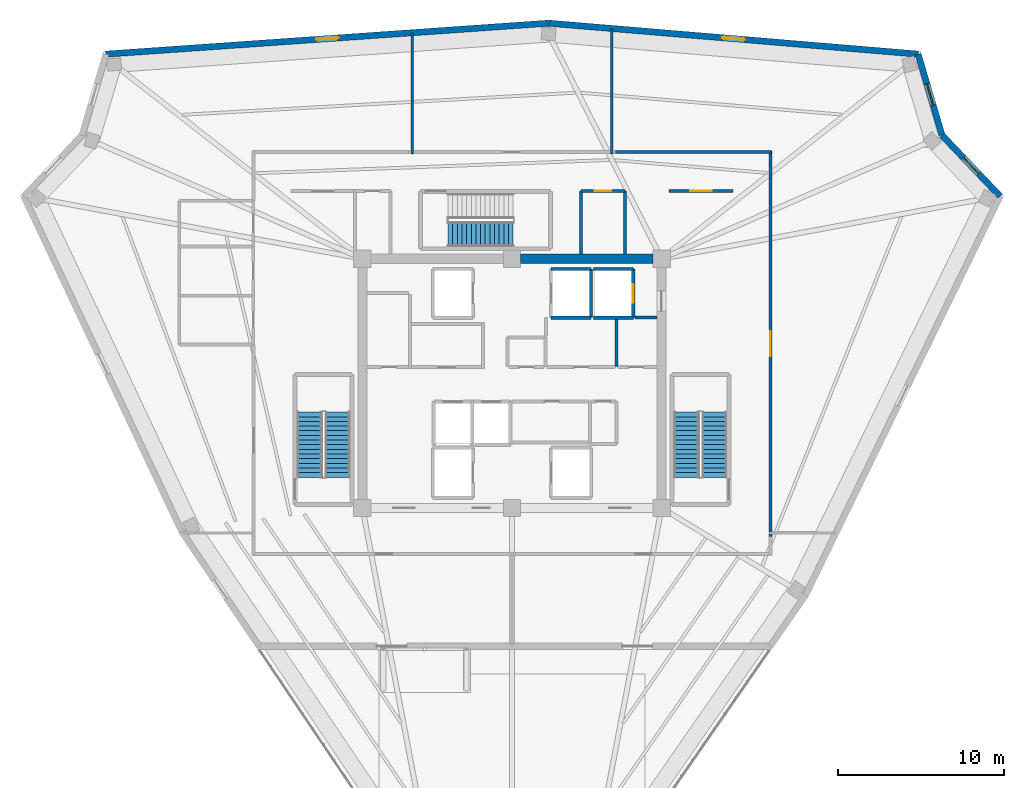
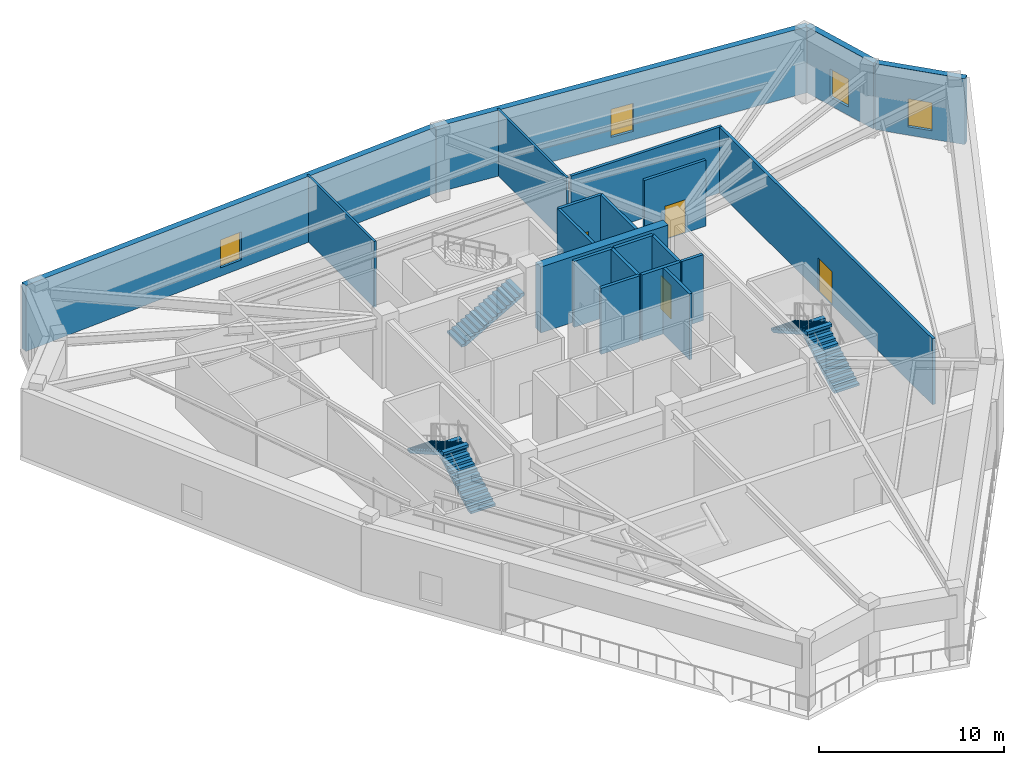
# One storey, part 7 of 12: 21 walls, 5 stair flights, 4 doors, 4 windows, 8 openings, 3 elements without a shape of their own.
"""IFC4 building model written with IfcOpenShell, lengths in metres."""

from ifc_helpers import new_model, si_unit, direction, frame, frame_2d, origin, place, context, subcontext, project, spatial, polyline, rectangle, outline, extrude, source, transform, mapped, material, layer, layer_set, type_object, element, fill, aggregate, save


model = new_model("IFC4")

# Units and contexts
model_context = context("Model", 3, precision=1e-05, world=origin(), true_north=direction((0.0, 1.0)))
body_context = subcontext(model_context, "Body", "Model", "MODEL_VIEW")
ifc_project = project(units=[si_unit("LENGTHUNIT", "METRE"), si_unit("AREAUNIT", "SQUARE_METRE"), si_unit("VOLUMEUNIT", "CUBIC_METRE"), si_unit("PLANEANGLEUNIT", "RADIAN"), si_unit("MASSUNIT", "GRAM", prefix="KILO")], contexts=[model_context])

# Site, building, storey
site_placement = place(None, origin())
site = spatial("IfcSite", under=ifc_project, at=site_placement, CompositionType="ELEMENT")
building_placement = place(site_placement, origin())
building = spatial("IfcBuilding", under=site, at=building_placement, Name="Liaohun Quay Tower", CompositionType="ELEMENT")
storey_placement = place(building_placement, frame((0.0, 0.0, 355.800048828125)))
storey = spatial("IfcBuildingStorey", under=building, at=storey_placement, Name="L92", CompositionType="ELEMENT", Elevation=355.800048828125)

# Wall
ifc_material_1 = material(Name="Concrete C50", Category="concrete")
ifc_layer_1 = layer(ifc_material_1, 0.550048828125, Name="Concrete C50", Category="concrete")
ifc_layer_set_1 = layer_set([ifc_layer_1], Name="Concrete C50")
wall_type_1 = type_object("IfcWallType", Name="WAL-COR-Z4", PredefinedType="SHEAR", material=ifc_layer_set_1)
wall_1_placement = place(storey_placement, frame((60.52490234375, 61.5, 0.0), z_axis=(0.0, 0.0, 1.0), x_axis=(1.0, 0.0, 0.0)))
element("IfcWall", 1, at=wall_1_placement, inside=storey, type_object=wall_type_1, Name="L92 Central Core Shear Wall N-E", PredefinedType="SHEAR", context=body_context, shape_type="SweptSolid", body=[
    extrude(rectangle(XDim=7.9501953125, YDim=0.550048828125, at=frame_2d((3.97509765625, 0.0))), origin(), (0.0, 0.0, 1.0), 4.349853515625),
])

# Wall, opening, window
ifc_material_2 = material(Name="Precast concrete C50 insulated sandwich", Category="concrete")
ifc_layer_2 = layer(ifc_material_2, 0.3798828125, Name="Precast concrete C50 insulated sandwich", Category="concrete")
ifc_layer_set_2 = layer_set([ifc_layer_2], Name="Precast concrete C50 insulated sandwich")
wall_type_2 = type_object("IfcWallType", Name="WAL-EXT-Z34", PredefinedType="SOLIDWALL", material=ifc_layer_set_2)
wall_2_placement = place(storey_placement, frame((89.376953125, 65.260009765625, 0.0), z_axis=(0.0, 0.0, 1.0), x_axis=(-0.68936702272, 0.724412250025, 0.0)))
wall_2 = element("IfcWall", 2, at=wall_2_placement, inside=storey, type_object=wall_type_2, Name="L92 Sky Belvedere Exterior Wall 03", PredefinedType="SOLIDWALL", context=body_context, shape_type="SweptSolid", body=[
    extrude(rectangle(XDim=5.07861328125, YDim=0.3798828125, at=frame_2d((2.539306640625, 0.0))), origin(), (0.0, 0.0, 1.0), 4.349853515625),
])
shared_shape_1 = source(origin(), body_context, "Body", "SweptSolid", [
    extrude(rectangle(XDim=1.35009765625, YDim=1.85009765625, at=frame_2d((0.675048828125, 0.925048828125))), frame((0.0, 0.199951171875, 0.0), z_axis=(0.0, -1.0, 0.0), x_axis=(1.0, 0.0, 0.0)), (0.0, 0.0, 1.0), 0.39990234375),
])
opening_1_placement = place(wall_2_placement, frame((1.864013671875, 0.0, 0.550048828125)))
opening_1 = element("IfcOpeningElement", 3, at=opening_1_placement, cuts=wall_2, Name="Opening W04", PredefinedType="OPENING", context=body_context, shape_type="MappedRepresentation", body=[
    mapped(shared_shape_1, transform((0.0, 0.0, 0.0), x_axis=(1.0, 0.0, 0.0), y_axis=(0.0, 1.0, 0.0), z_axis=(0.0, 0.0, 1.0), scale=1.0)),
])
ifc_material_3 = material(Name="Triple Low-E argon glazing in thermally broken aluminium", Category="aluminium")
window_type = type_object("IfcWindowType", Name="WIN-PUN-Z4", PartitioningType="SINGLE_PANEL", PredefinedType="WINDOW", material=ifc_material_3)
shared_shape_2 = source(origin(), body_context, "Body", "SweptSolid", [
    extrude(rectangle(XDim=1.35009765625, YDim=1.85009765625, at=frame_2d((0.675048828125, 0.925048828125))), frame((0.0, 0.030029296875, 0.0), z_axis=(0.0, -1.0, 0.0), x_axis=(1.0, 0.0, 0.0)), (0.0, 0.0, 1.0), 0.06005859375),
])
window_1_placement = place(opening_1_placement, origin())
window_1 = element("IfcWindow", 4, at=window_1_placement, inside=storey, type_object=window_type, Name="L92 Observatory Window W04-03", OverallHeight=1.85009765625, OverallWidth=1.35009765625, PartitioningType="SINGLE_PANEL", PredefinedType="WINDOW", context=body_context, shape_type="MappedRepresentation", body=[
    mapped(shared_shape_2, transform((0.0, 0.0, 0.0), x_axis=(1.0, 0.0, 0.0), y_axis=(0.0, 1.0, 0.0), z_axis=(0.0, 0.0, 1.0), scale=1.0)),
])
fill(opening_1, window_1)

wall_3_placement = place(storey_placement, frame((85.8759765625, 68.93896484375, 0.0), z_axis=(0.0, 0.0, 1.0), x_axis=(-0.282566830418, 0.959247614721, 0.0)))
wall_3 = element("IfcWall", 5, at=wall_3_placement, inside=storey, type_object=wall_type_2, Name="L92 Sky Belvedere Exterior Wall 04", PredefinedType="SOLIDWALL", context=body_context, shape_type="SweptSolid", body=[
    extrude(rectangle(XDim=5.08203125, YDim=0.3798828125, at=frame_2d((2.541015625, 0.0))), origin(), (0.0, 0.0, 1.0), 4.349853515625),
])
opening_2_placement = place(wall_3_placement, frame((1.865966796875, 0.0, 0.550048828125)))
opening_2 = element("IfcOpeningElement", 6, at=opening_2_placement, cuts=wall_3, Name="Opening W04", PredefinedType="OPENING", context=body_context, shape_type="MappedRepresentation", body=[
    mapped(shared_shape_1, transform((0.0, 0.0, 0.0), x_axis=(1.0, 0.0, 0.0), y_axis=(0.0, 1.0, 0.0), z_axis=(0.0, 0.0, 1.0), scale=1.0)),
])
window_2_placement = place(opening_2_placement, origin())
window_2 = element("IfcWindow", 7, at=window_2_placement, inside=storey, type_object=window_type, Name="L92 Observatory Window W04-04", OverallHeight=1.85009765625, OverallWidth=1.35009765625, PartitioningType="SINGLE_PANEL", PredefinedType="WINDOW", context=body_context, shape_type="MappedRepresentation", body=[
    mapped(shared_shape_2, transform((0.0, 0.0, 0.0), x_axis=(1.0, 0.0, 0.0), y_axis=(0.0, 1.0, 0.0), z_axis=(0.0, 0.0, 1.0), scale=1.0)),
])
fill(opening_2, window_2)

wall_4_placement = place(storey_placement, frame((84.43994140625, 73.81396484375, 0.0), z_axis=(0.0, 0.0, 1.0), x_axis=(-0.996516863227, 0.0833914942, 0.0)))
wall_4 = element("IfcWall", 8, at=wall_4_placement, inside=storey, type_object=wall_type_2, Name="L92 Sky Belvedere Exterior Wall 05", PredefinedType="SOLIDWALL", context=body_context, shape_type="SweptSolid", body=[
    extrude(rectangle(XDim=22.3056640625, YDim=0.3798828125, at=frame_2d((11.15283203125, 0.0))), origin(), (0.0, 0.0, 1.0), 4.349853515625),
])
opening_3_placement = place(wall_4_placement, frame((10.47802734375, 0.0, 0.550048828125)))
opening_3 = element("IfcOpeningElement", 9, at=opening_3_placement, cuts=wall_4, Name="Opening W04", PredefinedType="OPENING", context=body_context, shape_type="MappedRepresentation", body=[
    mapped(shared_shape_1, transform((0.0, 0.0, 0.0), x_axis=(1.0, 0.0, 0.0), y_axis=(0.0, 1.0, 0.0), z_axis=(0.0, 0.0, 1.0), scale=1.0)),
])
window_3_placement = place(opening_3_placement, origin())
window_3 = element("IfcWindow", 10, at=window_3_placement, inside=storey, type_object=window_type, Name="L92 Observatory Window W04-05", OverallHeight=1.85009765625, OverallWidth=1.35009765625, PartitioningType="SINGLE_PANEL", PredefinedType="WINDOW", context=body_context, shape_type="MappedRepresentation", body=[
    mapped(shared_shape_2, transform((0.0, 0.0, 0.0), x_axis=(1.0, 0.0, 0.0), y_axis=(0.0, 1.0, 0.0), z_axis=(0.0, 0.0, 1.0), scale=1.0)),
])
fill(opening_3, window_3)

wall_5_placement = place(storey_placement, frame((62.2119140625, 75.674072265625, 0.0), z_axis=(0.0, 0.0, 1.0), x_axis=(-0.997568264598, -0.069696179709, 0.0)))
wall_5 = element("IfcWall", 11, at=wall_5_placement, inside=storey, type_object=wall_type_2, Name="L92 Sky Belvedere Exterior Wall 06", PredefinedType="SOLIDWALL", context=body_context, shape_type="SweptSolid", body=[
    extrude(rectangle(XDim=26.716796875, YDim=0.3798828125, at=frame_2d((13.3583984375, 0.0))), origin(), (0.0, 0.0, 1.0), 4.349853515625),
])
opening_4_placement = place(wall_5_placement, frame((12.68310546875, 0.0, 0.550048828125)))
opening_4 = element("IfcOpeningElement", 12, at=opening_4_placement, cuts=wall_5, Name="Opening W04", PredefinedType="OPENING", context=body_context, shape_type="MappedRepresentation", body=[
    mapped(shared_shape_1, transform((0.0, 0.0, 0.0), x_axis=(1.0, 0.0, 0.0), y_axis=(0.0, 1.0, 0.0), z_axis=(0.0, 0.0, 1.0), scale=1.0)),
])
window_4_placement = place(opening_4_placement, origin())
window_4 = element("IfcWindow", 13, at=window_4_placement, inside=storey, type_object=window_type, Name="L92 Observatory Window W04-06", OverallHeight=1.85009765625, OverallWidth=1.35009765625, PartitioningType="SINGLE_PANEL", PredefinedType="WINDOW", context=body_context, shape_type="MappedRepresentation", body=[
    mapped(shared_shape_2, transform((0.0, 0.0, 0.0), x_axis=(1.0, 0.0, 0.0), y_axis=(0.0, 1.0, 0.0), z_axis=(0.0, 0.0, 1.0), scale=1.0)),
])
fill(opening_4, window_4)

# Wall, opening, door
ifc_material_4 = material(Name="Autoclaved aerated concrete blockwork", Category="masonry")
ifc_layer_3 = layer(ifc_material_4, 0.179931640625, Name="Autoclaved aerated concrete blockwork", Category="masonry")
ifc_layer_set_3 = layer_set([ifc_layer_3], Name="Autoclaved aerated concrete blockwork")
wall_type_3 = type_object("IfcWallType", Name="WAL-PRT-COR", PredefinedType="PARTITIONING", material=ifc_layer_set_3)
wall_6_placement = place(storey_placement, frame((64.139892578125, 65.580078125, 0.0), z_axis=(0.0, 0.0, 1.0), x_axis=(1.0, 0.0, 0.0)))
wall_6 = element("IfcWall", 14, at=wall_6_placement, inside=storey, type_object=wall_type_3, Name="L92 Interior Partition Wall 012", PredefinedType="PARTITIONING", context=body_context, shape_type="SweptSolid", body=[
    extrude(rectangle(XDim=2.670166015625, YDim=0.179931640625, at=frame_2d((1.3349609375, 0.0))), origin(), (0.0, 0.0, 1.0), 4.349853515625),
])
shared_shape_3 = source(origin(), body_context, "Body", "SweptSolid", [
    extrude(rectangle(XDim=1.0, YDim=2.199951171875, at=frame_2d((0.5, 1.10009765625))), frame((0.0, 0.099853515625, 0.0), z_axis=(0.0, -1.0, 0.0), x_axis=(1.0, 0.0, 0.0)), (0.0, 0.0, 1.0), 0.199951171875),
])
opening_5_placement = place(wall_6_placement, frame((0.8349609375, 0.0, 0.0)))
opening_5 = element("IfcOpeningElement", 15, at=opening_5_placement, cuts=wall_6, Name="Opening OD1", PredefinedType="OPENING", context=body_context, shape_type="MappedRepresentation", body=[
    mapped(shared_shape_3, transform((0.0, 0.0, 0.0), x_axis=(1.0, 0.0, 0.0), y_axis=(0.0, 1.0, 0.0), z_axis=(0.0, 0.0, 1.0), scale=1.0)),
])
ifc_material_5 = material(Name="Solid-core oak veneer timber leaf in steel frame", Category="steel")
door_type_1 = type_object("IfcDoorType", Name="DOR-OFF-1000", OperationType="NOTDEFINED", PredefinedType="DOOR", material=ifc_material_5)
shared_shape_4 = source(origin(), body_context, "Body", "SweptSolid", [
    extrude(rectangle(XDim=1.0, YDim=2.199951171875, at=frame_2d((0.5, 1.10009765625))), frame((0.0, 0.02490234375, 0.0), z_axis=(0.0, -1.0, 0.0), x_axis=(1.0, 0.0, 0.0)), (0.0, 0.0, 1.0), 0.050048828125),
])
door_1_placement = place(opening_5_placement, origin())
door_1 = element("IfcDoor", 16, at=door_1_placement, inside=storey, type_object=door_type_1, Name="L92 North-East Server Closet Door", OperationType="SINGLE_SWING_RIGHT", OverallHeight=2.199951171875, OverallWidth=1.0, PredefinedType="DOOR", context=body_context, shape_type="MappedRepresentation", body=[
    mapped(shared_shape_4, transform((0.0, 0.0, 0.0), x_axis=(1.0, 0.0, 0.0), y_axis=(0.0, 1.0, 0.0), z_axis=(0.0, 0.0, 1.0), scale=1.0)),
])
fill(opening_5, door_1)

wall_7_placement = place(storey_placement, frame((69.4599609375, 65.580078125, 0.0), z_axis=(0.0, 0.0, 1.0), x_axis=(1.0, 0.0, 0.0)))
wall_7 = element("IfcWall", 17, at=wall_7_placement, inside=storey, type_object=wall_type_3, Name="L92 Interior Partition Wall 014", PredefinedType="PARTITIONING", context=body_context, shape_type="SweptSolid", body=[
    extrude(rectangle(XDim=3.840087890625, YDim=0.179931640625, at=frame_2d((1.919921875, 0.0))), origin(), (0.0, 0.0, 1.0), 4.349853515625),
])
shared_shape_5 = source(origin(), body_context, "Body", "SweptSolid", [
    extrude(rectangle(XDim=1.300048828125, YDim=2.199951171875, at=frame_2d((0.64990234375, 1.10009765625))), frame((0.0, 0.099853515625, 0.0), z_axis=(0.0, -1.0, 0.0), x_axis=(1.0, 0.0, 0.0)), (0.0, 0.0, 1.0), 0.199951171875),
])
opening_6_placement = place(wall_7_placement, frame((1.27001953125, 0.0, 0.0)))
opening_6 = element("IfcOpeningElement", 18, at=opening_6_placement, cuts=wall_7, Name="Opening FD1", PredefinedType="OPENING", context=body_context, shape_type="MappedRepresentation", body=[
    mapped(shared_shape_5, transform((0.0, 0.0, 0.0), x_axis=(1.0, 0.0, 0.0), y_axis=(0.0, 1.0, 0.0), z_axis=(0.0, 0.0, 1.0), scale=1.0)),
])
ifc_material_6 = material(Name="Galvanised steel smokeproof fire door", Category="steel")
door_type_2 = type_object("IfcDoorType", Name="DOR-FFL-1300", OperationType="NOTDEFINED", PredefinedType="DOOR", material=ifc_material_6)
shared_shape_6 = source(origin(), body_context, "Body", "SweptSolid", [
    extrude(rectangle(XDim=1.300048828125, YDim=2.199951171875, at=frame_2d((0.64990234375, 1.10009765625))), frame((0.0, 0.02490234375, 0.0), z_axis=(0.0, -1.0, 0.0), x_axis=(1.0, 0.0, 0.0)), (0.0, 0.0, 1.0), 0.050048828125),
])
door_2_placement = place(opening_6_placement, origin())
door_2 = element("IfcDoor", 19, at=door_2_placement, inside=storey, type_object=door_type_2, Name="L92 East Core Vestibule Door", OperationType="SINGLE_SWING_RIGHT", OverallHeight=2.199951171875, OverallWidth=1.300048828125, PredefinedType="DOOR", context=body_context, shape_type="MappedRepresentation", body=[
    mapped(shared_shape_6, transform((0.0, 0.0, 0.0), x_axis=(1.0, 0.0, 0.0), y_axis=(0.0, 1.0, 0.0), z_axis=(0.0, 0.0, 1.0), scale=1.0)),
])
fill(opening_6, door_2)

wall_8_placement = place(storey_placement, frame((75.56005859375, 67.97998046875, 0.0), z_axis=(0.0, 0.0, 1.0), x_axis=(0.0, -1.0, 0.0)))
wall_8 = element("IfcWall", 20, at=wall_8_placement, inside=storey, type_object=wall_type_3, Name="L92 Interior Partition Wall 015", PredefinedType="PARTITIONING", context=body_context, shape_type="SweptSolid", body=[
    extrude(rectangle(XDim=23.195068359375, YDim=0.179931640625, at=frame_2d((11.59765625, 0.0))), origin(), (0.0, 0.0, 1.0), 4.349853515625),
])
shared_shape_7 = source(origin(), body_context, "Body", "SweptSolid", [
    extrude(rectangle(XDim=1.5, YDim=2.199951171875, at=frame_2d((0.75, 1.10009765625))), frame((0.0, 0.099853515625, 0.0), z_axis=(0.0, -1.0, 0.0), x_axis=(1.0, 0.0, 0.0)), (0.0, 0.0, 1.0), 0.199951171875),
])
opening_7_placement = place(wall_8_placement, frame((10.847900390625, 0.0, 0.0)))
opening_7 = element("IfcOpeningElement", 21, at=opening_7_placement, cuts=wall_8, Name="Opening OD2", PredefinedType="OPENING", context=body_context, shape_type="MappedRepresentation", body=[
    mapped(shared_shape_7, transform((0.0, 0.0, 0.0), x_axis=(1.0, 0.0, 0.0), y_axis=(0.0, 1.0, 0.0), z_axis=(0.0, 0.0, 1.0), scale=1.0)),
])
ifc_material_7 = material(Name="Acoustic oak veneer double door")
door_type_3 = type_object("IfcDoorType", Name="DOR-OFF-1500", OperationType="DOUBLE_DOOR_SINGLE_SWING", PredefinedType="DOOR", material=ifc_material_7)
shared_shape_8 = source(origin(), body_context, "Body", "SweptSolid", [
    extrude(rectangle(XDim=1.5, YDim=2.199951171875, at=frame_2d((0.75, 1.10009765625))), frame((0.0, 0.02490234375, 0.0), z_axis=(0.0, -1.0, 0.0), x_axis=(1.0, 0.0, 0.0)), (0.0, 0.0, 1.0), 0.050048828125),
])
door_3_placement = place(opening_7_placement, origin())
door_3 = element("IfcDoor", 22, at=door_3_placement, inside=storey, type_object=door_type_3, Name="L92 Lookout Pavilion Reception Foyer 01 Door", OperationType="DOUBLE_DOOR_SINGLE_SWING", OverallHeight=2.199951171875, OverallWidth=1.5, PredefinedType="DOOR", context=body_context, shape_type="MappedRepresentation", body=[
    mapped(shared_shape_8, transform((0.0, 0.0, 0.0), x_axis=(1.0, 0.0, 0.0), y_axis=(0.0, 1.0, 0.0), z_axis=(0.0, 0.0, 1.0), scale=1.0)),
])
fill(opening_7, door_3)

# Walls
wall_9_placement = place(storey_placement, frame((66.300048828125, 55.02001953125, 0.0), z_axis=(0.0, 0.0, 1.0), x_axis=(0.0, 1.0, 0.0)))
element("IfcWall", 23, at=wall_9_placement, inside=storey, type_object=wall_type_3, Name="L92 Interior Partition Wall 021", PredefinedType="PARTITIONING", context=body_context, shape_type="SweptSolid", body=[
    extrude(rectangle(XDim=2.85986328125, YDim=0.179931640625, at=frame_2d((1.429931640625, 0.0))), origin(), (0.0, 0.0, 1.0), 4.349853515625),
])
for number, where, z_axis, x_axis, name in (
    (24, (64.139892578125, 61.77490234375, 0.0), (0.0, 0.0, 1.0), (0.0, 1.0, 0.0), "L92 Interior Partition Wall 035"),
    (25, (66.81005859375, 61.77490234375, 0.0), (0.0, 0.0, 1.0), (0.0, 1.0, 0.0), "L92 Interior Partition Wall 036"),
):
    element("IfcWall", number, at=place(storey_placement, frame(where, z_axis=z_axis, x_axis=x_axis)), inside=storey, type_object=wall_type_3, Name=name, PredefinedType="PARTITIONING", context=body_context, shape_type="SweptSolid", body=[
        extrude(rectangle(XDim=3.80517578125, YDim=0.179931640625, at=frame_2d((1.902587890625, 0.0))), origin(), (0.0, 0.0, 1.0), 4.349853515625),
    ])
wall_10_placement = place(storey_placement, frame((66.215087890625, 67.909912109375, 0.0), z_axis=(0.0, 0.0, 1.0), x_axis=(1.0, 0.0, 0.0)))
element("IfcWall", 26, at=wall_10_placement, inside=storey, type_object=wall_type_3, Name="L92 Interior Partition Wall 037", PredefinedType="PARTITIONING", context=body_context, shape_type="SweptSolid", body=[
    extrude(rectangle(XDim=9.414794921875, YDim=0.179931640625, at=frame_2d((4.70751953125, 0.0))), origin(), (0.0, 0.0, 1.0), 4.349853515625),
])
wall_11_placement = place(storey_placement, frame((67.39990234375, 57.949951171875, 0.0), z_axis=(0.0, 0.0, 1.0), x_axis=(1.0, 0.0, 0.0)))
element("IfcWall", 27, at=wall_11_placement, inside=storey, type_object=wall_type_3, Name="L92 Interior Partition Wall 053", PredefinedType="PARTITIONING", context=body_context, shape_type="SweptSolid", body=[
    extrude(rectangle(XDim=1.3251953125, YDim=0.179931640625, at=frame_2d((0.66259765625, 0.0))), origin(), (0.0, 0.0, 1.0), 4.349853515625),
])
ifc_material_8 = material(Name="Gypsum board on twin steel studs", Category="steel")
ifc_layer_4 = layer(ifc_material_8, 0.139892578125, Name="Gypsum board on twin steel studs", Category="steel")
ifc_layer_set_4 = layer_set([ifc_layer_4], Name="Gypsum board on twin steel studs")
wall_type_4 = type_object("IfcWallType", Name="WAL-PRT-OFF", PredefinedType="PARTITIONING", material=ifc_layer_set_4)
wall_12_placement = place(storey_placement, frame((54.0, 67.81005859375, 0.0), z_axis=(0.0, 0.0, 1.0), x_axis=(0.0, 1.0, 0.0)))
element("IfcWall", 28, at=wall_12_placement, inside=storey, type_object=wall_type_4, Name="L92 Interior Partition Wall 045", PredefinedType="PARTITIONING", context=body_context, shape_type="SweptSolid", body=[
    extrude(rectangle(XDim=7.260009765625, YDim=0.139892578125, at=frame_2d((3.6298828125, 0.0))), origin(), (0.0, 0.0, 1.0), 4.349853515625),
])
wall_13_placement = place(storey_placement, frame((66.0, 67.81005859375, 0.0), z_axis=(0.0, 0.0, 1.0), x_axis=(0.0, 1.0, 0.0)))
element("IfcWall", 29, at=wall_13_placement, inside=storey, type_object=wall_type_4, Name="L92 Interior Partition Wall 046", PredefinedType="PARTITIONING", context=body_context, shape_type="SweptSolid", body=[
    extrude(rectangle(XDim=7.516845703125, YDim=0.139892578125, at=frame_2d((3.75830078125, 0.0))), origin(), (0.0, 0.0, 1.0), 4.349853515625),
])
ifc_layer_5 = layer(ifc_material_1, 0.239990234375, Name="Concrete C50", Category="concrete")
ifc_layer_set_5 = layer_set([ifc_layer_5], Name="Concrete C50")
wall_type_5 = type_object("IfcWallType", Name="WAL-SHF-200", PredefinedType="SOLIDWALL", material=ifc_layer_set_5)
wall_14_placement = place(storey_placement, frame((62.35009765625, 57.949951171875, 0.0), z_axis=(0.0, 0.0, 1.0), x_axis=(1.0, 0.0, 0.0)))
element("IfcWall", 30, at=wall_14_placement, inside=storey, type_object=wall_type_5, Name="L92 Lift OB-01 Hoistway Wall S", PredefinedType="SOLIDWALL", context=body_context, shape_type="SweptSolid", body=[
    extrude(rectangle(XDim=2.39990234375, YDim=0.199951171875, at=frame_2d((1.199951171875, 0.0))), origin(), (0.0, 0.0, 1.0), 4.349853515625),
])
wall_15_placement = place(storey_placement, frame((64.75, 57.949951171875, 0.0), z_axis=(0.0, 0.0, 1.0), x_axis=(0.0, 1.0, 0.0)))
element("IfcWall", 31, at=wall_15_placement, inside=storey, type_object=wall_type_5, Name="L92 Lift OB-01 Hoistway Wall E", PredefinedType="SOLIDWALL", context=body_context, shape_type="SweptSolid", body=[
    extrude(rectangle(XDim=2.929931640625, YDim=0.199951171875, at=frame_2d((1.46484375, 0.0))), origin(), (0.0, 0.0, 1.0), 4.349853515625),
])
wall_16_placement = place(storey_placement, frame((64.75, 60.8798828125, 0.0), z_axis=(0.0, 0.0, 1.0), x_axis=(-1.0, 0.0, 0.0)))
element("IfcWall", 32, at=wall_16_placement, inside=storey, type_object=wall_type_5, Name="L92 Lift OB-01 Hoistway Wall N", PredefinedType="SOLIDWALL", context=body_context, shape_type="SweptSolid", body=[
    extrude(rectangle(XDim=2.39990234375, YDim=0.199951171875, at=frame_2d((1.199951171875, 0.0))), origin(), (0.0, 0.0, 1.0), 4.349853515625),
])
wall_17_placement = place(storey_placement, frame((64.89990234375, 57.949951171875, 0.0), z_axis=(0.0, 0.0, 1.0), x_axis=(1.0, 0.0, 0.0)))
element("IfcWall", 33, at=wall_17_placement, inside=storey, type_object=wall_type_5, Name="L92 Lift OB-02 Hoistway Wall S", PredefinedType="SOLIDWALL", context=body_context, shape_type="SweptSolid", body=[
    extrude(rectangle(XDim=2.400146484375, YDim=0.199951171875, at=frame_2d((1.2001953125, 0.0))), origin(), (0.0, 0.0, 1.0), 4.349853515625),
])

# Wall, opening, door
wall_18_placement = place(storey_placement, frame((67.300048828125, 57.949951171875, 0.0), z_axis=(0.0, 0.0, 1.0), x_axis=(0.0, 1.0, 0.0)))
wall_18 = element("IfcWall", 34, at=wall_18_placement, inside=storey, type_object=wall_type_5, Name="L92 Lift OB-02 Hoistway Wall E", PredefinedType="SOLIDWALL", context=body_context, shape_type="SweptSolid", body=[
    extrude(rectangle(XDim=2.929931640625, YDim=0.199951171875, at=frame_2d((1.46484375, 0.0))), origin(), (0.0, 0.0, 1.0), 4.349853515625),
])
shared_shape_9 = source(origin(), body_context, "Body", "SweptSolid", [
    extrude(rectangle(XDim=1.10009765625, YDim=2.199951171875, at=frame_2d((0.550048828125, 1.10009765625))), frame((0.0, 0.10986328125, 0.0), z_axis=(0.0, -1.0, 0.0), x_axis=(1.0, 0.0, 0.0)), (0.0, 0.0, 1.0), 0.219970703125),
])
opening_8_placement = place(wall_18_placement, frame((0.9150390625, 0.0, 0.0)))
opening_8 = element("IfcOpeningElement", 35, at=opening_8_placement, cuts=wall_18, Name="Opening LD1", PredefinedType="OPENING", context=body_context, shape_type="MappedRepresentation", body=[
    mapped(shared_shape_9, transform((0.0, 0.0, 0.0), x_axis=(1.0, 0.0, 0.0), y_axis=(0.0, 1.0, 0.0), z_axis=(0.0, 0.0, 1.0), scale=1.0)),
])
ifc_material_9 = material(Name="Brushed stainless steel landing door", Category="steel")
door_type_4 = type_object("IfcDoorType", Name="DOR-LFT-1100", OperationType="SLIDING_TO_LEFT", PredefinedType="DOOR", material=ifc_material_9)
shared_shape_10 = source(origin(), body_context, "Body", "SweptSolid", [
    extrude(rectangle(XDim=1.10009765625, YDim=2.199951171875, at=frame_2d((0.550048828125, 1.10009765625))), frame((0.0, 0.02490234375, 0.0), z_axis=(0.0, -1.0, 0.0), x_axis=(1.0, 0.0, 0.0)), (0.0, 0.0, 1.0), 0.050048828125),
])
door_4_placement = place(opening_8_placement, origin())
door_4 = element("IfcDoor", 36, at=door_4_placement, inside=storey, type_object=door_type_4, Name="L92 Lift OB-02 Sliding Landing Door", OperationType="SLIDING_TO_LEFT", OverallHeight=2.199951171875, OverallWidth=1.10009765625, PredefinedType="DOOR", context=body_context, shape_type="MappedRepresentation", body=[
    mapped(shared_shape_10, transform((0.0, 0.0, 0.0), x_axis=(1.0, 0.0, 0.0), y_axis=(0.0, 1.0, 0.0), z_axis=(0.0, 0.0, 1.0), scale=1.0)),
])
fill(opening_8, door_4)

# Wall
wall_19_placement = place(storey_placement, frame((67.300048828125, 60.8798828125, 0.0), z_axis=(0.0, 0.0, 1.0), x_axis=(-1.0, 0.0, 0.0)))
element("IfcWall", 37, at=wall_19_placement, inside=storey, type_object=wall_type_5, Name="L92 Lift OB-02 Hoistway Wall N", PredefinedType="SOLIDWALL", context=body_context, shape_type="SweptSolid", body=[
    extrude(rectangle(XDim=2.400146484375, YDim=0.199951171875, at=frame_2d((1.2001953125, 0.0))), origin(), (0.0, 0.0, 1.0), 4.349853515625),
])

# Stair, stair flights
ifc_material_10 = material(Name="Concrete C45", Category="concrete")
stair_type = type_object("IfcStairType", Name="STR-CORE-CRN", PredefinedType="HALF_TURN_STAIR", material=ifc_material_10)
stair_1_placement = place(storey_placement, origin())
stair_1 = element("IfcStair", 38, at=stair_1_placement, inside=storey, type_object=stair_type, Name="L92 Smokeproof Core Exit Stair ST-1", PredefinedType="HALF_TURN_STAIR")
stair_flight_type = type_object("IfcStairFlightType", Name="FLT-CORE-155", PredefinedType="STRAIGHT", material=ifc_material_10)
stair_flight_1_placement = place(storey_placement, frame((49.5048828125, 48.35009765625, 0.0), z_axis=(0.0, 0.0, 1.0), x_axis=(0.0, 1.0, 0.0)))
stair_flight_1 = element("IfcStairFlight", 39, at=stair_flight_1_placement, type_object=stair_flight_type, Name="ST-1 flight 1", NumberOfRisers=15, NumberOfTreads=14, PredefinedType="STRAIGHT", RiserHeight=0.16, TreadLength=0.28, context=body_context, shape_type="SweptSolid", body=[
    extrude(outline(polyline([(0.0, 0.0), (0.0, 0.159912109375), (0.280029296875, 0.159912109375), (0.280029296875, 0.320068359375), (0.56005859375, 0.320068359375), (0.56005859375, 0.47998046875), (0.840087890625, 0.47998046875), (0.840087890625, 0.639892578125), (1.1201171875, 0.639892578125), (1.1201171875, 0.800048828125), (1.39990234375, 0.800048828125), (1.39990234375, 0.9599609375), (1.679931640625, 0.9599609375), (1.679931640625, 1.1201171875), (1.9599609375, 1.1201171875), (1.9599609375, 1.280029296875), (2.239990234375, 1.280029296875), (2.239990234375, 1.43994140625), (2.52001953125, 1.43994140625), (2.52001953125, 1.60009765625), (2.800048828125, 1.60009765625), (2.800048828125, 1.760009765625), (3.080078125, 1.760009765625), (3.080078125, 1.919921875), (3.360107421875, 1.919921875), (3.360107421875, 2.080078125), (3.639892578125, 2.080078125), (3.639892578125, 2.239990234375), (3.919921875, 2.239990234375), (3.919921875, 2.39990234375), (3.919921875, 2.0673828125), (0.30224609375, 0.0), (0.0, 0.0)])), frame((0.0, 0.77490234375, 0.0), z_axis=(0.0, -1.0, 0.0), x_axis=(1.0, 0.0, 0.0)), (0.0, 0.0, 1.0), 1.550048828125),
])
stair_flight_2_placement = place(storey_placement, frame((47.81494140625, 52.27001953125, 2.39990234375), z_axis=(0.0, 0.0, 1.0), x_axis=(0.0, -1.0, 0.0)))
stair_flight_2 = element("IfcStairFlight", 40, at=stair_flight_2_placement, type_object=stair_flight_type, Name="ST-1 flight 2", NumberOfRisers=15, NumberOfTreads=14, PredefinedType="STRAIGHT", RiserHeight=0.16, TreadLength=0.28, context=body_context, shape_type="SweptSolid", body=[
    extrude(outline(polyline([(0.0, 0.0), (0.0, 0.159912109375), (0.280029296875, 0.159912109375), (0.280029296875, 0.320068359375), (0.56005859375, 0.320068359375), (0.56005859375, 0.47998046875), (0.840087890625, 0.47998046875), (0.840087890625, 0.639892578125), (1.1201171875, 0.639892578125), (1.1201171875, 0.800048828125), (1.39990234375, 0.800048828125), (1.39990234375, 0.9599609375), (1.679931640625, 0.9599609375), (1.679931640625, 1.1201171875), (1.9599609375, 1.1201171875), (1.9599609375, 1.280029296875), (2.239990234375, 1.280029296875), (2.239990234375, 1.43994140625), (2.52001953125, 1.43994140625), (2.52001953125, 1.60009765625), (2.800048828125, 1.60009765625), (2.800048828125, 1.760009765625), (3.080078125, 1.760009765625), (3.080078125, 1.919921875), (3.360107421875, 1.919921875), (3.360107421875, 2.080078125), (3.639892578125, 2.080078125), (3.639892578125, 2.239990234375), (3.919921875, 2.239990234375), (3.919921875, 2.39990234375), (3.919921875, 2.0673828125), (0.30224609375, 0.0), (0.0, 0.0)])), frame((0.0, 0.77490234375, 0.0), z_axis=(0.0, -1.0, 0.0), x_axis=(1.0, 0.0, 0.0)), (0.0, 0.0, 1.0), 1.550048828125),
])
aggregate(stair_1, [stair_flight_1, stair_flight_2])

stair_2_placement = place(storey_placement, origin())
stair_2 = element("IfcStair", 41, at=stair_2_placement, inside=storey, type_object=stair_type, Name="L92 Smokeproof Core Exit Stair ST-2", PredefinedType="HALF_TURN_STAIR")
stair_flight_3_placement = place(storey_placement, frame((72.18505859375, 48.35009765625, 0.0), z_axis=(0.0, 0.0, 1.0), x_axis=(0.0, 1.0, 0.0)))
stair_flight_3 = element("IfcStairFlight", 42, at=stair_flight_3_placement, type_object=stair_flight_type, Name="ST-2 flight 1", NumberOfRisers=15, NumberOfTreads=14, PredefinedType="STRAIGHT", RiserHeight=0.16, TreadLength=0.28, context=body_context, shape_type="SweptSolid", body=[
    extrude(outline(polyline([(0.0, 0.0), (0.0, 0.159912109375), (0.280029296875, 0.159912109375), (0.280029296875, 0.320068359375), (0.56005859375, 0.320068359375), (0.56005859375, 0.47998046875), (0.840087890625, 0.47998046875), (0.840087890625, 0.639892578125), (1.1201171875, 0.639892578125), (1.1201171875, 0.800048828125), (1.39990234375, 0.800048828125), (1.39990234375, 0.9599609375), (1.679931640625, 0.9599609375), (1.679931640625, 1.1201171875), (1.9599609375, 1.1201171875), (1.9599609375, 1.280029296875), (2.239990234375, 1.280029296875), (2.239990234375, 1.43994140625), (2.52001953125, 1.43994140625), (2.52001953125, 1.60009765625), (2.800048828125, 1.60009765625), (2.800048828125, 1.760009765625), (3.080078125, 1.760009765625), (3.080078125, 1.919921875), (3.360107421875, 1.919921875), (3.360107421875, 2.080078125), (3.639892578125, 2.080078125), (3.639892578125, 2.239990234375), (3.919921875, 2.239990234375), (3.919921875, 2.39990234375), (3.919921875, 2.0673828125), (0.30224609375, 0.0), (0.0, 0.0)])), frame((0.0, 0.77490234375, 0.0), z_axis=(0.0, -1.0, 0.0), x_axis=(1.0, 0.0, 0.0)), (0.0, 0.0, 1.0), 1.550048828125),
])
stair_flight_4_placement = place(storey_placement, frame((70.4951171875, 52.27001953125, 2.39990234375), z_axis=(0.0, 0.0, 1.0), x_axis=(0.0, -1.0, 0.0)))
stair_flight_4 = element("IfcStairFlight", 43, at=stair_flight_4_placement, type_object=stair_flight_type, Name="ST-2 flight 2", NumberOfRisers=15, NumberOfTreads=14, PredefinedType="STRAIGHT", RiserHeight=0.16, TreadLength=0.28, context=body_context, shape_type="SweptSolid", body=[
    extrude(outline(polyline([(0.0, 0.0), (0.0, 0.159912109375), (0.280029296875, 0.159912109375), (0.280029296875, 0.320068359375), (0.56005859375, 0.320068359375), (0.56005859375, 0.47998046875), (0.840087890625, 0.47998046875), (0.840087890625, 0.639892578125), (1.1201171875, 0.639892578125), (1.1201171875, 0.800048828125), (1.39990234375, 0.800048828125), (1.39990234375, 0.9599609375), (1.679931640625, 0.9599609375), (1.679931640625, 1.1201171875), (1.9599609375, 1.1201171875), (1.9599609375, 1.280029296875), (2.239990234375, 1.280029296875), (2.239990234375, 1.43994140625), (2.52001953125, 1.43994140625), (2.52001953125, 1.60009765625), (2.800048828125, 1.60009765625), (2.800048828125, 1.760009765625), (3.080078125, 1.760009765625), (3.080078125, 1.919921875), (3.360107421875, 1.919921875), (3.360107421875, 2.080078125), (3.639892578125, 2.080078125), (3.639892578125, 2.239990234375), (3.919921875, 2.239990234375), (3.919921875, 2.39990234375), (3.919921875, 2.0673828125), (0.30224609375, 0.0), (0.0, 0.0)])), frame((0.0, 0.77490234375, 0.0), z_axis=(0.0, -1.0, 0.0), x_axis=(1.0, 0.0, 0.0)), (0.0, 0.0, 1.0), 1.550048828125),
])
aggregate(stair_2, [stair_flight_3, stair_flight_4])

# Stair, stair flight
stair_3_placement = place(storey_placement, origin())
stair_3 = element("IfcStair", 44, at=stair_3_placement, inside=storey, type_object=stair_type, Name="L92 Smokeproof Core Exit Stair ST-3", PredefinedType="HALF_TURN_STAIR")
stair_flight_5_placement = place(storey_placement, frame((56.14990234375, 62.97509765625, 0.0), z_axis=(0.0, 0.0, 1.0), x_axis=(1.0, 0.0, 0.0)))
stair_flight_5 = element("IfcStairFlight", 45, at=stair_flight_5_placement, type_object=stair_flight_type, Name="ST-3 flight 1", NumberOfRisers=15, NumberOfTreads=14, PredefinedType="STRAIGHT", RiserHeight=0.16, TreadLength=0.28, context=body_context, shape_type="SweptSolid", body=[
    extrude(outline(polyline([(0.0, 0.0), (0.0, 0.159912109375), (0.280029296875, 0.159912109375), (0.280029296875, 0.320068359375), (0.56005859375, 0.320068359375), (0.56005859375, 0.47998046875), (0.840087890625, 0.47998046875), (0.840087890625, 0.639892578125), (1.1201171875, 0.639892578125), (1.1201171875, 0.800048828125), (1.39990234375, 0.800048828125), (1.39990234375, 0.9599609375), (1.679931640625, 0.9599609375), (1.679931640625, 1.1201171875), (1.9599609375, 1.1201171875), (1.9599609375, 1.280029296875), (2.239990234375, 1.280029296875), (2.239990234375, 1.43994140625), (2.52001953125, 1.43994140625), (2.52001953125, 1.60009765625), (2.800048828125, 1.60009765625), (2.800048828125, 1.760009765625), (3.080078125, 1.760009765625), (3.080078125, 1.919921875), (3.360107421875, 1.919921875), (3.360107421875, 2.080078125), (3.639892578125, 2.080078125), (3.639892578125, 2.239990234375), (3.919921875, 2.239990234375), (3.919921875, 2.39990234375), (3.919921875, 2.0673828125), (0.30224609375, 0.0), (0.0, 0.0)])), frame((0.0, 0.77490234375, 0.0), z_axis=(0.0, -1.0, 0.0), x_axis=(1.0, 0.0, 0.0)), (0.0, 0.0, 1.0), 1.550048828125),
])
aggregate(stair_3, [stair_flight_5])

save(model, "model.ifc")
